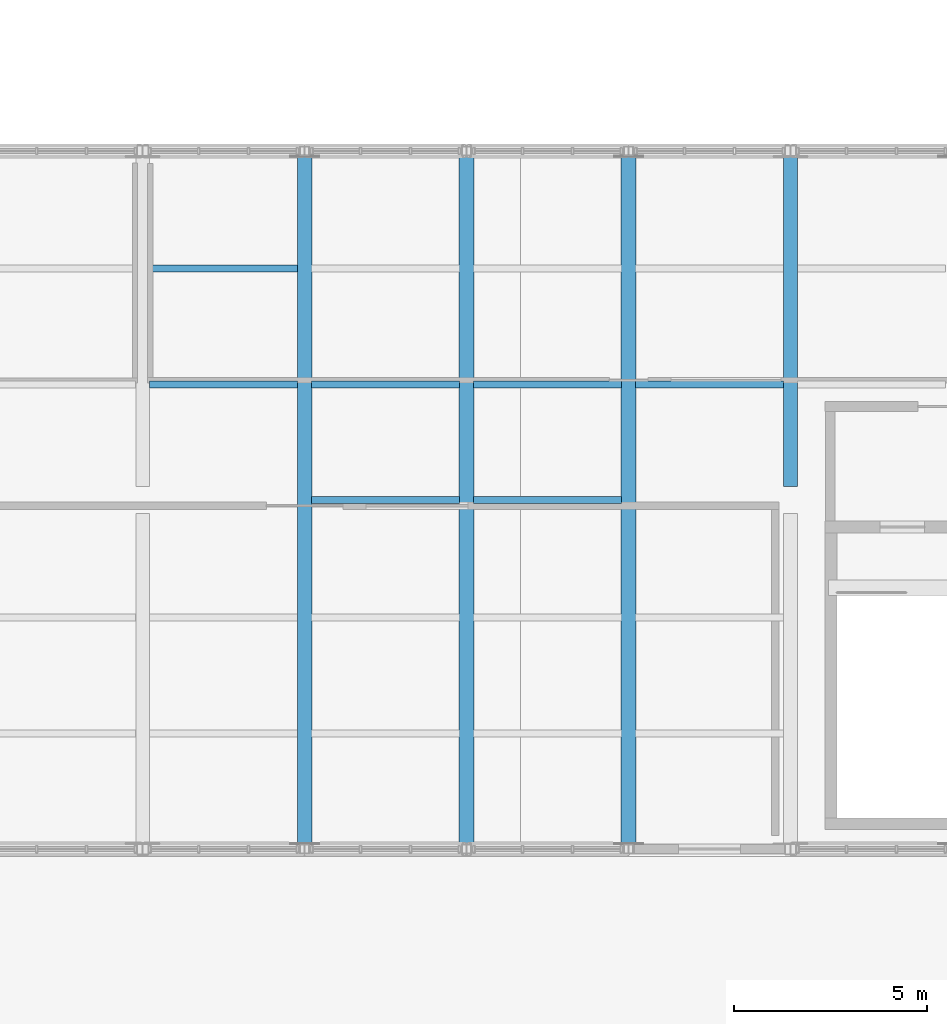
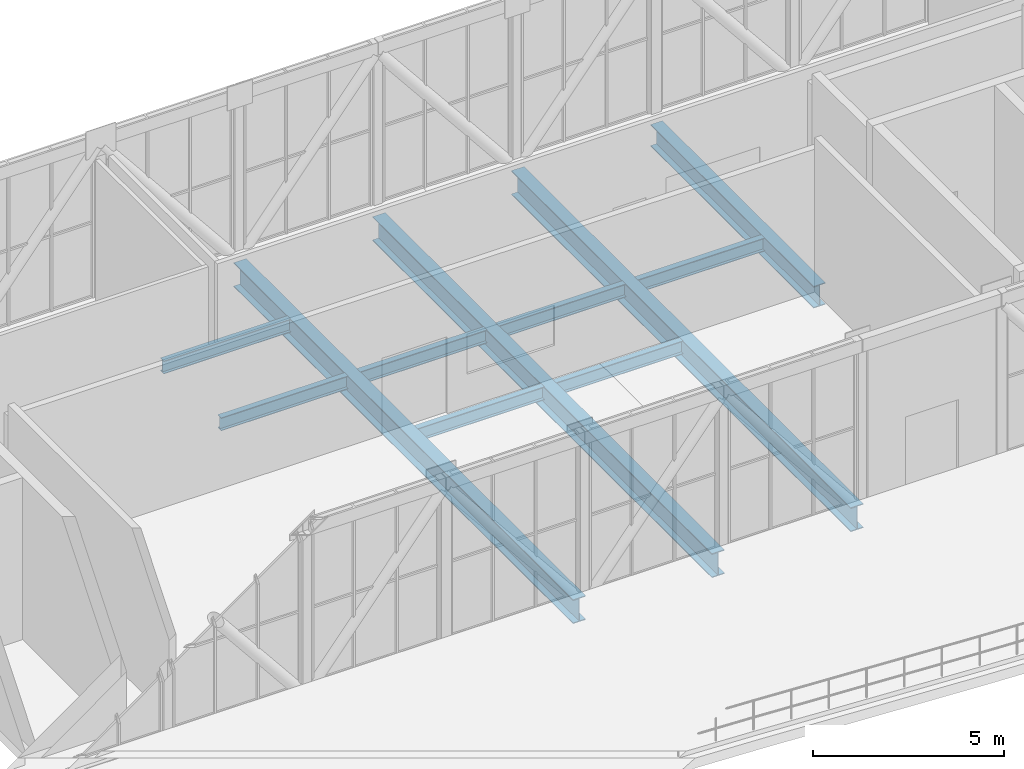
# One storey, part 31 of 58: 11 beams.
"""IFC4 building model written with IfcOpenShell, lengths in metres."""

from ifc_helpers import new_model, si_unit, direction, frame, origin, origin_2d, place, context, subcontext, project, spatial, i_section, extrude, material, material_profile, profile_set, type_object, element, save


model = new_model("IFC4")

# Units and contexts
model_context = context("Model", 3, precision=1e-05, world=origin(), true_north=direction((0.0, 1.0)))
body_context = subcontext(model_context, "Body", "Model", "MODEL_VIEW")
ifc_project = project(units=[si_unit("LENGTHUNIT", "METRE"), si_unit("AREAUNIT", "SQUARE_METRE"), si_unit("VOLUMEUNIT", "CUBIC_METRE"), si_unit("PLANEANGLEUNIT", "RADIAN"), si_unit("MASSUNIT", "GRAM", prefix="KILO")], contexts=[model_context])

# Site, building, storey
site_placement = place(None, origin())
site = spatial("IfcSite", under=ifc_project, at=site_placement, CompositionType="ELEMENT")
building_placement = place(site_placement, origin())
building = spatial("IfcBuilding", under=site, at=building_placement, Name="Khurvash Pelagic Aquarium", CompositionType="ELEMENT")
storey_placement = place(building_placement, frame((0.0, 0.0, 24.60009765625)))
storey = spatial("IfcBuildingStorey", under=building, at=storey_placement, Name="L05", CompositionType="ELEMENT", Elevation=24.60009765625)

# Beams
ifc_material = material(Name="Steel ASTM A992 Grade 50", Category="steel")
ifc_material_profile_1 = material_profile(ifc_material, i_section(OverallWidth=0.381103515625, OverallDepth=0.77197265625, WebThickness=0.0166015625, FlangeThickness=0.027099609375, at=origin_2d()), Name="W30X173")
ifc_profile_set_1 = profile_set([ifc_material_profile_1], Name="Steel ASTM A992 Grade 50")
beam_type_1 = type_object("IfcBeamType", Name="BM-08", PredefinedType="BEAM", material=ifc_profile_set_1)
for number, where, z_axis, x_axis, name in (
    (1, (79.800048828125, 11.81005859375, -0.68603515625), (0.0, 1.0, 0.0), (-1.0, 0.0, 0.0), "L05 Sky-Bar Transverse Floor Girder BM-08 N17"),
    (2, (84.0, 11.81005859375, -0.68603515625), (0.0, 1.0, 0.0), (-1.0, 0.0, 0.0), "L05 Sky-Bar Transverse Floor Girder BM-08 N18"),
    (3, (88.199951171875, 11.81005859375, -0.68603515625), (0.0, 1.0, 0.0), (-1.0, 0.0, 0.0), "L05 Sky-Bar Transverse Floor Girder BM-08 N19"),
):
    element("IfcBeam", number, at=place(storey_placement, frame(where, z_axis=z_axis, x_axis=x_axis)), inside=storey, type_object=beam_type_1, Name=name, PredefinedType="BEAM", context=body_context, shape_type="SweptSolid", body=[
        extrude(i_section(OverallWidth=0.381103515625, OverallDepth=0.77197265625, WebThickness=0.0166015625, FlangeThickness=0.027099609375, at=origin_2d()), origin(), (0.0, 0.0, 1.0), 17.780029296875),
    ])
ifc_material_profile_2 = material_profile(ifc_material, i_section(OverallWidth=0.35595703125, OverallDepth=0.696044921875, WebThickness=0.015380859375, FlangeThickness=0.02490234375, at=origin_2d()), Name="W27X146")
ifc_profile_set_2 = profile_set([ifc_material_profile_2], Name="Steel ASTM A992 Grade 50")
beam_type_2 = type_object("IfcBeamType", Name="BM-09", PredefinedType="BEAM", material=ifc_profile_set_2)
beam_placement = place(storey_placement, frame((92.39990234375, 21.050048828125, -0.648193359375), z_axis=(0.0, 1.0, 0.0), x_axis=(-1.0, 0.0, 0.0)))
element("IfcBeam", 4, at=beam_placement, inside=storey, type_object=beam_type_2, Name="L05 Sky-Bar Transverse Floor Girder BM-09 N20", PredefinedType="BEAM", context=body_context, shape_type="SweptSolid", body=[
    extrude(i_section(OverallWidth=0.35595703125, OverallDepth=0.696044921875, WebThickness=0.015380859375, FlangeThickness=0.02490234375, at=origin_2d()), origin(), (0.0, 0.0, 1.0), 8.5400390625),
])
ifc_material_profile_3 = material_profile(ifc_material, i_section(OverallWidth=0.180908203125, OverallDepth=0.4169921875, WebThickness=0.010986328125, FlangeThickness=0.018310546875, at=origin_2d()), Name="W16X57")
ifc_profile_set_3 = profile_set([ifc_material_profile_3], Name="Steel ASTM A992 Grade 50")
beam_type_3 = type_object("IfcBeamType", Name="JS-03", PredefinedType="JOIST", material=ifc_profile_set_3)
for number, where, z_axis, x_axis, name in (
    (5, (75.780029296875, 23.699951171875, -0.508544921875), (1.0, 0.0, 0.0), (0.0, 1.0, 0.0), "L05 Sky-Bar Floor Joist JS-03 P16"),
    (6, (75.780029296875, 26.699951171875, -0.508544921875), (1.0, 0.0, 0.0), (0.0, 1.0, 0.0), "L05 Sky-Bar Floor Joist JS-03 P16"),
    (7, (79.97998046875, 20.699951171875, -0.508544921875), (1.0, 0.0, 0.0), (0.0, 1.0, 0.0), "L05 Sky-Bar Floor Joist JS-03 P17"),
    (8, (79.97998046875, 23.699951171875, -0.508544921875), (1.0, 0.0, 0.0), (0.0, 1.0, 0.0), "L05 Sky-Bar Floor Joist JS-03 P17"),
    (9, (84.179931640625, 20.699951171875, -0.508544921875), (1.0, 0.0, 0.0), (0.0, 1.0, 0.0), "L05 Sky-Bar Floor Joist JS-03 P18"),
    (10, (84.179931640625, 23.699951171875, -0.508544921875), (1.0, 0.0, 0.0), (0.0, 1.0, 0.0), "L05 Sky-Bar Floor Joist JS-03 P18"),
    (11, (88.3798828125, 23.699951171875, -0.508544921875), (1.0, 0.0, 0.0), (0.0, 1.0, 0.0), "L05 Sky-Bar Floor Joist JS-03 P19"),
):
    element("IfcBeam", number, at=place(storey_placement, frame(where, z_axis=z_axis, x_axis=x_axis)), inside=storey, type_object=beam_type_3, Name=name, PredefinedType="JOIST", context=body_context, shape_type="SweptSolid", body=[
        extrude(i_section(OverallWidth=0.180908203125, OverallDepth=0.4169921875, WebThickness=0.010986328125, FlangeThickness=0.018310546875, at=origin_2d()), origin(), (0.0, 0.0, 1.0), 3.840087890625),
    ])

save(model, "model.ifc")
